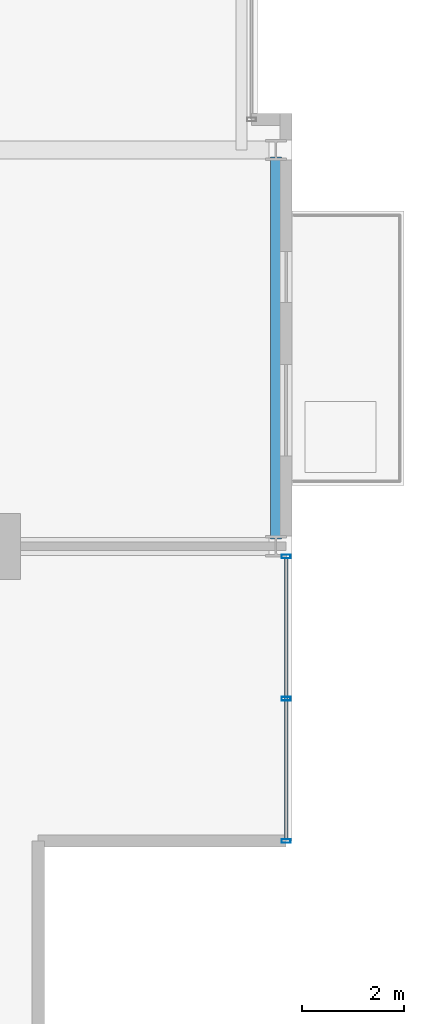
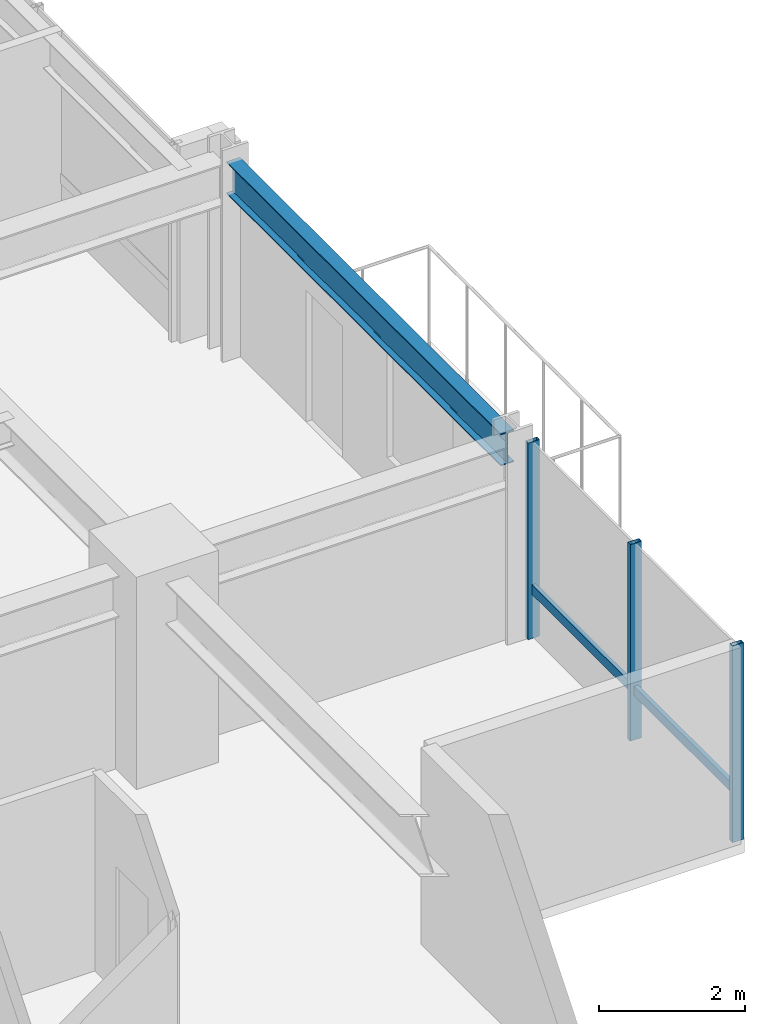
# One storey, part 13 of 33: 4 members, 1 beam, 1 element without a shape of its own.
"""IFC4 building model written with IfcOpenShell, lengths in metres."""

from ifc_helpers import new_model, si_unit, direction, frame, origin, origin_2d, place, context, subcontext, project, spatial, hollow_rectangle, i_section, extrude, material, layer, layer_set, material_profile, profile_set, type_object, element, aggregate, save


model = new_model("IFC4")

# Units and contexts
model_context = context("Model", 3, precision=1e-05, world=origin(), true_north=direction((0.0, 1.0)))
body_context = subcontext(model_context, "Body", "Model", "MODEL_VIEW")
ifc_project = project(units=[si_unit("LENGTHUNIT", "METRE"), si_unit("AREAUNIT", "SQUARE_METRE"), si_unit("VOLUMEUNIT", "CUBIC_METRE"), si_unit("PLANEANGLEUNIT", "RADIAN"), si_unit("MASSUNIT", "GRAM", prefix="KILO")], contexts=[model_context])

# Site, building, storey
site_placement = place(None, origin())
site = spatial("IfcSite", under=ifc_project, at=site_placement, CompositionType="ELEMENT")
building_placement = place(site_placement, origin())
building = spatial("IfcBuilding", under=site, at=building_placement, Name="Drelvath Grand Hotel", CompositionType="ELEMENT")
storey_placement = place(building_placement, frame((0.0, 0.0, 161.050048828125)))
storey = spatial("IfcBuildingStorey", under=building, at=storey_placement, Name="L41", CompositionType="ELEMENT", Elevation=161.050048828125)

# Curtain wall, members
ifc_material_1 = material(Name="Brushed Pale-Silver Anodised Aluminium Frame", Category="aluminium")
ifc_layer = layer(ifc_material_1, 0.199951171875)
ifc_layer_set = layer_set([ifc_layer], Name="Brushed Pale-Silver Anodised Aluminium Frame")
curtain_wall_type = type_object("IfcCurtainWallType", Name="Stick Curtain Wall CW-04 Brushed Silver Upper-Mid", PredefinedType="NOTDEFINED", material=ifc_layer_set)
curtain_wall_placement = place(storey_placement, origin())
curtain_wall = element("IfcCurtainWall", 1, at=curtain_wall_placement, inside=storey, type_object=curtain_wall_type, Name="L41 CW-04 Curtain Wall CW04-L41-ES1", PredefinedType="NOTDEFINED")
ifc_material_profile_1 = material_profile(ifc_material_1, hollow_rectangle(XDim=0.06494140625, YDim=0.159912109375, WallThickness=0.00390625, at=origin_2d()), Name="HSS160X65X4")
ifc_profile_set_1 = profile_set([ifc_material_profile_1], Name="Brushed Pale-Silver Anodised Aluminium Frame")
member_type_1 = type_object("IfcMemberType", Name="Curtain Wall Horizontal Transom CW-04 HSS160X65X4", PredefinedType="USERDEFINED", material=ifc_profile_set_1)
member_1_placement = place(storey_placement, frame((22.080078125, 10.559814453125, 0.822509765625), z_axis=(0.0, -1.0, 0.0), x_axis=(1.0, 0.0, 0.0)))
member_1 = element("IfcMember", 2, at=member_1_placement, type_object=member_type_1, Name="CW04-L41-ES1 Sill Transom", ObjectType="TRANSOM", PredefinedType="USERDEFINED", context=body_context, shape_type="SweptSolid", body=[
    extrude(hollow_rectangle(XDim=0.06494140625, YDim=0.159912109375, WallThickness=0.00390625, at=origin_2d()), origin(), (0.0, 0.0, 1.0), 5.519775390625),
])
ifc_material_profile_2 = material_profile(ifc_material_1, hollow_rectangle(XDim=0.074951171875, YDim=0.179931640625, WallThickness=0.0048828125, at=origin_2d()), Name="HSS180X75X5")
ifc_profile_set_2 = profile_set([ifc_material_profile_2], Name="Brushed Pale-Silver Anodised Aluminium Frame")
member_type_2 = type_object("IfcMemberType", Name="Curtain Wall Vertical Mullion CW-04 HSS180X75X5", PredefinedType="MULLION", material=ifc_profile_set_2)
member_2_placement = place(storey_placement, frame((22.080078125, 10.599853515625, 0.0), z_axis=(0.0, 0.0, 1.0), x_axis=(0.0, 1.0, 0.0)))
member_2 = element("IfcMember", 3, at=member_2_placement, type_object=member_type_2, Name="CW04-L41-ES1 Mullion 1", PredefinedType="MULLION", context=body_context, shape_type="SweptSolid", body=[
    extrude(hollow_rectangle(XDim=0.074951171875, YDim=0.179931640625, WallThickness=0.0048828125, at=origin_2d()), origin(), (0.0, 0.0, 1.0), 3.2900390625),
])
member_3_placement = place(storey_placement, frame((22.080078125, 7.7998046875, 0.0), z_axis=(0.0, 0.0, 1.0), x_axis=(0.0, 1.0, 0.0)))
member_3 = element("IfcMember", 4, at=member_3_placement, type_object=member_type_2, Name="CW04-L41-ES1 Mullion 2", PredefinedType="MULLION", context=body_context, shape_type="SweptSolid", body=[
    extrude(hollow_rectangle(XDim=0.074951171875, YDim=0.179931640625, WallThickness=0.0048828125, at=origin_2d()), origin(), (0.0, 0.0, 1.0), 3.2900390625),
])
member_4_placement = place(storey_placement, frame((22.080078125, 5.0, 0.0), z_axis=(0.0, 0.0, 1.0), x_axis=(0.0, 1.0, 0.0)))
member_4 = element("IfcMember", 5, at=member_4_placement, type_object=member_type_2, Name="CW04-L41-ES1 Mullion 3", PredefinedType="MULLION", context=body_context, shape_type="SweptSolid", body=[
    extrude(hollow_rectangle(XDim=0.074951171875, YDim=0.179931640625, WallThickness=0.0048828125, at=origin_2d()), origin(), (0.0, 0.0, 1.0), 3.2900390625),
])
aggregate(curtain_wall, [member_2, member_3, member_4, member_1])

# Beam
ifc_material_2 = material(Name="Steel ASTM A992 Gr 50", Category="steel")
ifc_material_profile_3 = material_profile(ifc_material_2, i_section(OverallWidth=0.210205078125, OverallDepth=0.53662109375, WebThickness=0.010986328125, FlangeThickness=0.017333984375, FilletRadius=0.01806640625, at=origin_2d()), Name="W21X68")
ifc_profile_set_3 = profile_set([ifc_material_profile_3], Name="Steel ASTM A992 Gr 50")
beam_type = type_object("IfcBeamType", Name="Perimeter Spandrel Beam W21X68", PredefinedType="SPANDREL", material=ifc_profile_set_3)
beam_placement = place(storey_placement, frame((21.8798828125, 10.93994140625, 3.021728515625), z_axis=(0.0, 1.0, 0.0), x_axis=(-1.0, 0.0, 0.0)))
element("IfcBeam", 6, at=beam_placement, inside=storey, type_object=beam_type, Name="L41 Spandrel East S", PredefinedType="SPANDREL", context=body_context, shape_type="SweptSolid", body=[
    extrude(i_section(OverallWidth=0.210205078125, OverallDepth=0.53662109375, WebThickness=0.010986328125, FlangeThickness=0.017333984375, FilletRadius=0.01806640625, at=origin_2d()), origin(), (0.0, 0.0, 1.0), 7.52001953125),
])

save(model, "model.ifc")
